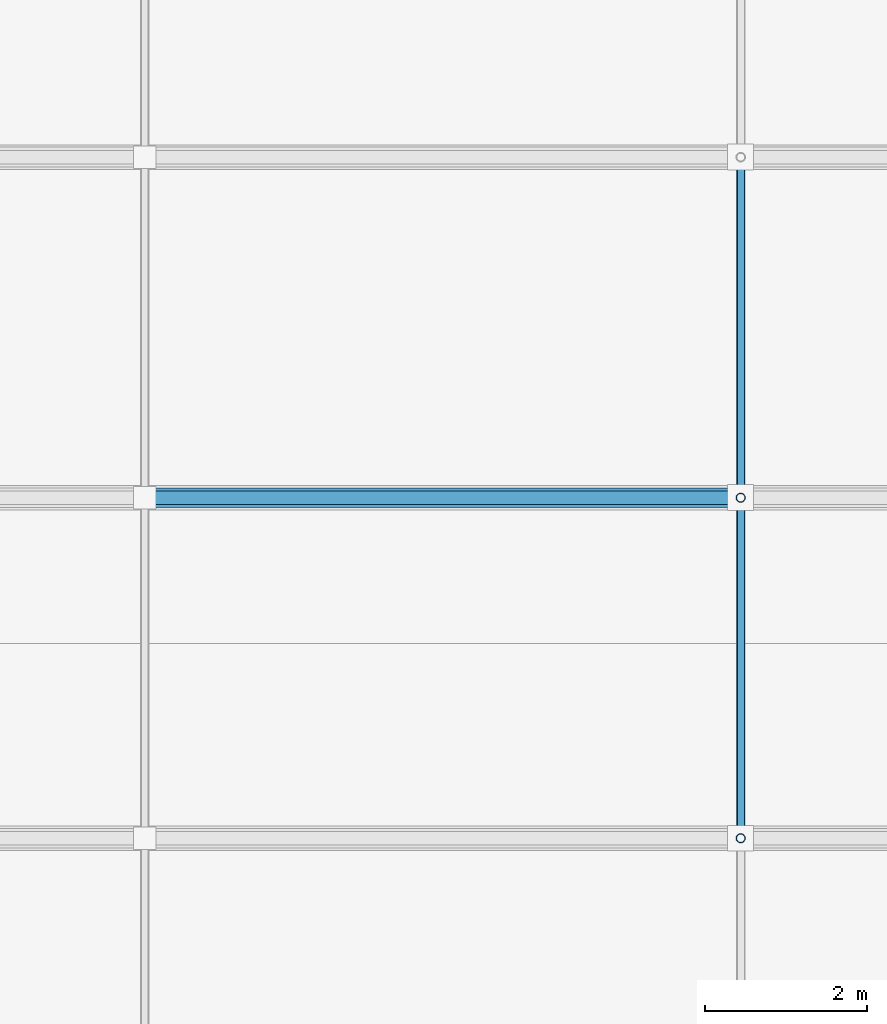
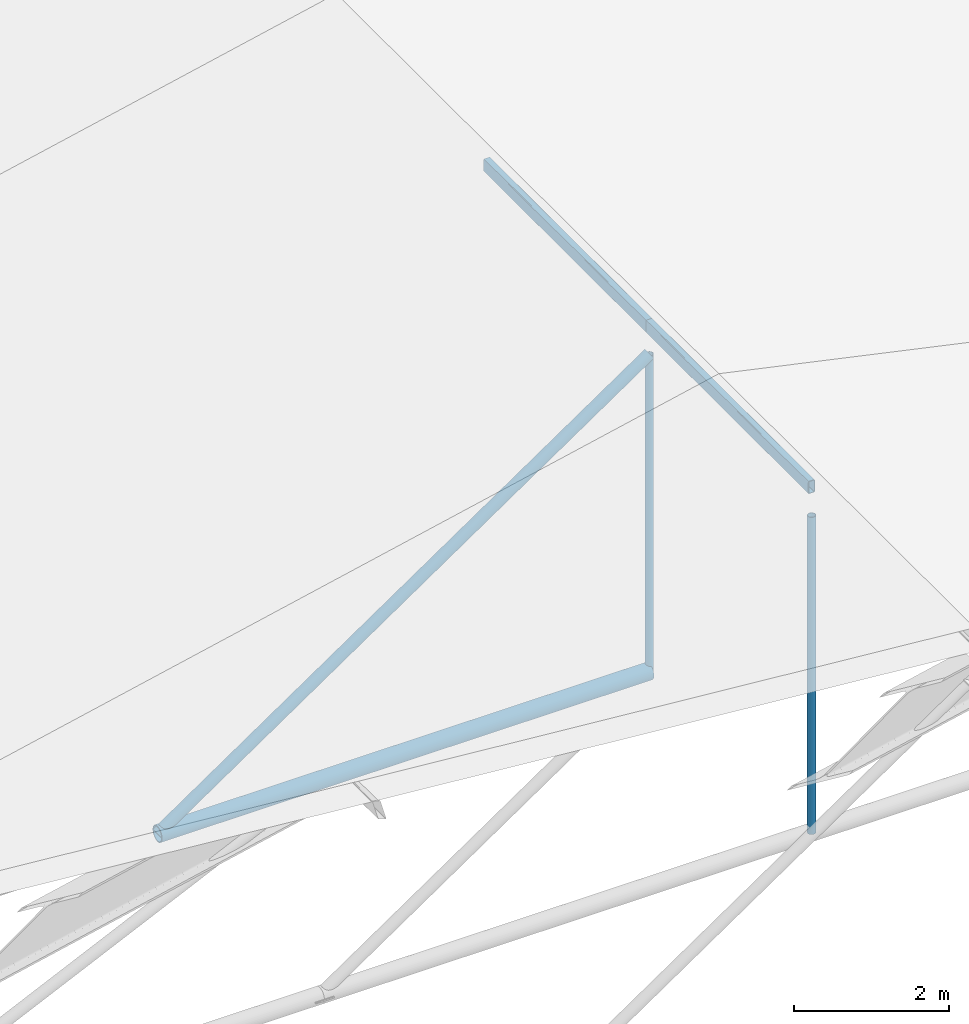
# One storey, part 17 of 60: 6 members.
"""IFC4 building model written with IfcOpenShell, lengths in metres."""

from ifc_helpers import new_model, si_unit, direction, frame, origin, origin_2d, place, context, subcontext, project, spatial, hollow_rectangle, hollow_circle, extrude, material, material_profile, profile_set, type_object, element, save


model = new_model("IFC4")

# Units and contexts
model_context = context("Model", 3, precision=1e-05, world=origin(), true_north=direction((0.0, 1.0)))
body_context = subcontext(model_context, "Body", "Model", "MODEL_VIEW")
ifc_project = project(units=[si_unit("LENGTHUNIT", "METRE"), si_unit("AREAUNIT", "SQUARE_METRE"), si_unit("VOLUMEUNIT", "CUBIC_METRE"), si_unit("PLANEANGLEUNIT", "RADIAN"), si_unit("MASSUNIT", "GRAM", prefix="KILO")], contexts=[model_context])

# Site, building, storey
site_placement = place(None, origin())
site = spatial("IfcSite", under=ifc_project, at=site_placement, CompositionType="ELEMENT")
building_placement = place(site_placement, origin())
building = spatial("IfcBuilding", under=site, at=building_placement, Name="Nakhvara Creek Congress Hotel", CompositionType="ELEMENT")
storey_placement = place(building_placement, frame((0.0, 0.0, 54.60009765625)))
storey = spatial("IfcBuildingStorey", under=building, at=storey_placement, Name="RL1", CompositionType="ELEMENT", Elevation=54.60009765625)

# Members
ifc_material = material(Name="Steel S355J2H", Category="steel")
ifc_material_profile_1 = material_profile(ifc_material, hollow_circle(Radius=0.084228515625, WallThickness=0.008056640625, at=origin_2d()), Name="CHS 168.3x8.0", Category="LoadBearing")
ifc_profile_set_1 = profile_set([ifc_material_profile_1], Name="Steel S355J2H")
member_type_1 = type_object("IfcMemberType", Name="MEM-BRC-CHS168", PredefinedType="BRACE", material=ifc_profile_set_1)
member_1_placement = place(storey_placement, frame((19.050048828125, 108.0, -41.89013671875), z_axis=(0.826292954583, 0.0, 0.563240581996), x_axis=(0.0, 1.0, 0.0)))
element("IfcMember", 1, at=member_1_placement, inside=storey, type_object=member_type_1, Name="Ballroom Roof Truss Web Brace 05.3", PredefinedType="BRACE", context=body_context, shape_type="SweptSolid", body=[
    extrude(hollow_circle(Radius=0.084228515625, WallThickness=0.008056640625, at=origin_2d()), origin(), (0.0, 0.0, 1.0), 8.89501953125),
])
ifc_material_profile_2 = material_profile(ifc_material, hollow_circle(Radius=0.122314453125, WallThickness=0.012451171875, at=origin_2d()), Name="CHS 244.5x12.5", Category="LoadBearing")
ifc_profile_set_2 = profile_set([ifc_material_profile_2], Name="Steel S355J2H")
member_type_2 = type_object("IfcMemberType", Name="MEM-CHD-CHS244", PredefinedType="CHORD", material=ifc_profile_set_2)
member_2_placement = place(storey_placement, frame((19.050048828125, 108.0, -41.89013671875), z_axis=(1.0, 0.0, 0.0), x_axis=(0.0, 1.0, 0.0)))
element("IfcMember", 2, at=member_2_placement, inside=storey, type_object=member_type_2, Name="Ballroom Roof Truss Bottom Chord 05.3", PredefinedType="CHORD", context=body_context, shape_type="SweptSolid", body=[
    extrude(hollow_circle(Radius=0.122314453125, WallThickness=0.012451171875, at=origin_2d()), origin(), (0.0, 0.0, 1.0), 7.349853515625),
])
ifc_material_profile_3 = material_profile(ifc_material, hollow_rectangle(XDim=0.10009765625, YDim=0.199951171875, WallThickness=0.008056640625, InnerFilletRadius=0.008056640625, OuterFilletRadius=0.01611328125, at=origin_2d()), Name="RHS 200x100x8.0", Category="LoadBearing")
ifc_profile_set_3 = profile_set([ifc_material_profile_3], Name="Steel S355J2H")
member_type_3 = type_object("IfcMemberType", Name="MEM-PUR-RHS200", PredefinedType="PURLIN", material=ifc_profile_set_3)
for number, where, z_axis, x_axis, name in (
    (3, (26.39990234375, 103.800048828125, -36.433837890625), (0.0, 1.0, 0.0), (-1.0, 0.0, 0.0), "Ballroom Roof Purlin 4.4"),
    (4, (26.39990234375, 108.0, -36.433837890625), (0.0, 1.0, 0.0), (-1.0, 0.0, 0.0), "Ballroom Roof Purlin 4.5"),
):
    element("IfcMember", number, at=place(storey_placement, frame(where, z_axis=z_axis, x_axis=x_axis)), inside=storey, type_object=member_type_3, Name=name, PredefinedType="PURLIN", context=body_context, shape_type="SweptSolid", body=[
        extrude(hollow_rectangle(XDim=0.10009765625, YDim=0.199951171875, WallThickness=0.008056640625, InnerFilletRadius=0.008056640625, OuterFilletRadius=0.01611328125, at=origin_2d()), origin(), (0.0, 0.0, 1.0), 4.199951171875),
    ])
ifc_material_profile_4 = material_profile(ifc_material, hollow_circle(Radius=0.05712890625, WallThickness=0.00634765625, at=origin_2d()), Name="CHS 114.3x6.3", Category="LoadBearing")
ifc_profile_set_4 = profile_set([ifc_material_profile_4], Name="Steel S355J2H")
member_type_4 = type_object("IfcMemberType", Name="MEM-STR-CHS114", PredefinedType="STRUT", material=ifc_profile_set_4)
for number, where, z_axis, x_axis, name in (
    (5, (26.39990234375, 103.800048828125, -41.89013671875), (0.0, 0.0, 1.0), (1.0, 0.0, 0.0), "Ballroom Roof Truss King-Post 04"),
    (6, (26.39990234375, 108.0, -41.89013671875), (0.0, 0.0, 1.0), (1.0, 0.0, 0.0), "Ballroom Roof Truss King-Post 05"),
):
    element("IfcMember", number, at=place(storey_placement, frame(where, z_axis=z_axis, x_axis=x_axis)), inside=storey, type_object=member_type_4, Name=name, PredefinedType="STRUT", context=body_context, shape_type="SweptSolid", body=[
        extrude(hollow_circle(Radius=0.05712890625, WallThickness=0.00634765625, at=origin_2d()), origin(), (0.0, 0.0, 1.0), 5.010009765625),
    ])

save(model, "model.ifc")
